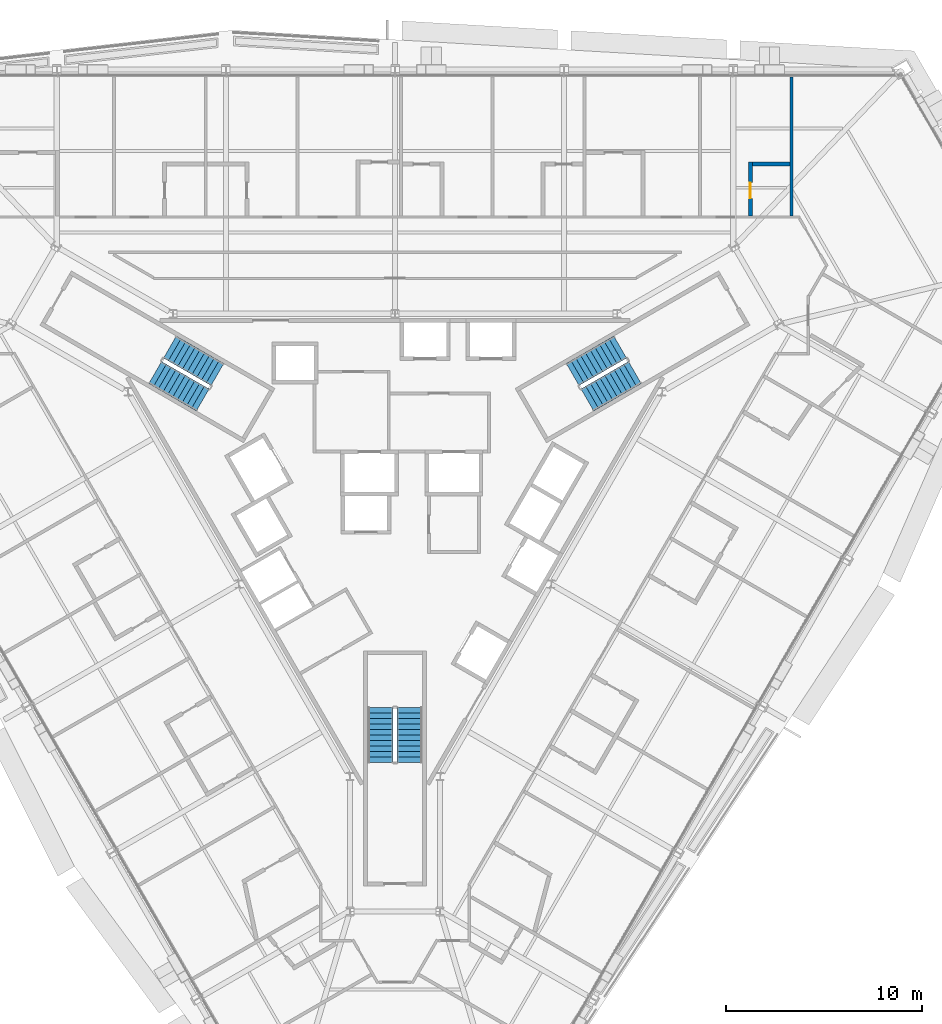
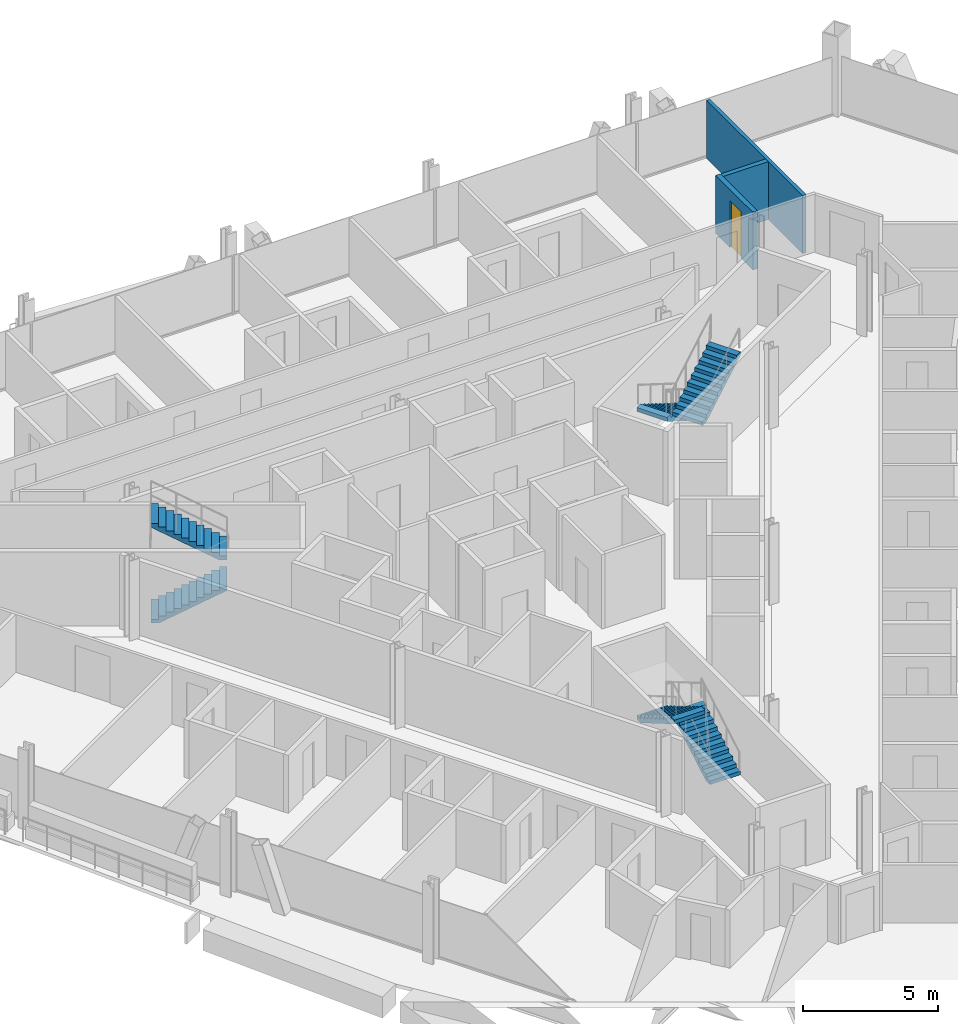
# One storey, part 16 of 18: 6 stair flights, 3 walls, 1 door, 1 opening, 3 elements without a shape of their own.
"""IFC4 building model written with IfcOpenShell, lengths in metres."""

from ifc_helpers import new_model, si_unit, direction, frame, frame_2d, origin, place, context, subcontext, project, spatial, polyline, rectangle, outline, extrude, material, layer, layer_set, type_object, element, fill, aggregate, save


model = new_model("IFC4")

# Units and contexts
model_context = context("Model", 3, precision=1e-05, world=origin(), true_north=direction((0.0, 1.0)))
body_context = subcontext(model_context, "Body", "Model", "MODEL_VIEW")
ifc_project = project(units=[si_unit("LENGTHUNIT", "METRE"), si_unit("AREAUNIT", "SQUARE_METRE"), si_unit("VOLUMEUNIT", "CUBIC_METRE"), si_unit("PLANEANGLEUNIT", "RADIAN"), si_unit("MASSUNIT", "GRAM", prefix="KILO")], contexts=[model_context])

# Site, building, storey
site_placement = place(None, origin())
site = spatial("IfcSite", under=ifc_project, at=site_placement, CompositionType="ELEMENT")
building_placement = place(site_placement, origin())
building = spatial("IfcBuilding", under=site, at=building_placement, Name="Verrane Prism Tower", CompositionType="ELEMENT")
storey_placement = place(building_placement, frame((0.0, 0.0, 80.0)))
storey = spatial("IfcBuildingStorey", under=building, at=storey_placement, Name="L18", CompositionType="ELEMENT", Elevation=80.0)

# Wall
ifc_material_1 = material(Name="Gypsum board partition", Category="other")
ifc_layer_1 = layer(ifc_material_1, 0.14990234375)
ifc_layer_set_1 = layer_set([ifc_layer_1], Name="PW-150 demising wall 1 h")
wall_type_1 = type_object("IfcWallType", Name="PW-150 demising wall 1 h", PredefinedType="PARTITIONING", material=ifc_layer_set_1)
wall_1_placement = place(storey_placement, frame((20.236083984375, 14.199462890625, 0.0), z_axis=(0.0, 0.0, 1.0), x_axis=(0.0, 1.0, 0.0)))
element("IfcWall", 1, at=wall_1_placement, inside=storey, type_object=wall_type_1, Name="Demising wall 087", PredefinedType="PARTITIONING", context=body_context, shape_type="SweptSolid", body=[
    extrude(rectangle(XDim=7.095458984375, YDim=0.14990234375, at=frame_2d((3.5478515625, 0.0))), origin(), (0.0, 0.0, 1.0), 2.613037109375),
])

# Wall, opening, door
ifc_material_2 = material(Name="Gypsum board partition", Category="other")
ifc_layer_2 = layer(ifc_material_2, 0.199951171875)
ifc_layer_set_2 = layer_set([ifc_layer_2], Name="PW-200 plumbing wall")
wall_type_2 = type_object("IfcWallType", Name="PW-200 plumbing wall", PredefinedType="PARTITIONING", material=ifc_layer_set_2)
wall_2_placement = place(storey_placement, frame((18.135986328125, 16.93701171875, 0.0), z_axis=(0.0, 0.0, 1.0), x_axis=(0.0, -1.0, 0.0)))
wall_2 = element("IfcWall", 2, at=wall_2_placement, inside=storey, type_object=wall_type_2, Name="Plumbing wall 082", PredefinedType="PARTITIONING", context=body_context, shape_type="SweptSolid", body=[
    extrude(rectangle(XDim=2.737548828125, YDim=0.199951171875, at=frame_2d((1.36865234375, 0.0))), origin(), (0.0, 0.0, 1.0), 2.613037109375),
])
opening_placement = place(wall_2_placement, frame((1.050048828125, 0.0, 0.0)))
opening = element("IfcOpeningElement", 3, at=opening_placement, cuts=wall_2, Name="Opening D17019", PredefinedType="OPENING", context=body_context, shape_type="SweptSolid", body=[
    extrude(rectangle(XDim=0.800048828125, YDim=2.10009765625, at=frame_2d((0.39990234375, 1.050048828125))), frame((0.0, 0.10986328125, 0.0), z_axis=(0.0, -1.0, 0.0), x_axis=(1.0, 0.0, 0.0)), (0.0, 0.0, 1.0), 0.219970703125),
])
ifc_material_3 = material(Name="Timber veneered door leaf", Category="wood")
door_type = type_object("IfcDoorType", Name="DR-800x2100 single leaf bath", OperationType="NOTDEFINED", PredefinedType="DOOR", material=ifc_material_3)
door_placement = place(opening_placement, origin())
door = element("IfcDoor", 4, at=door_placement, inside=storey, type_object=door_type, Name="En-Suite door", OperationType="SINGLE_SWING_RIGHT", OverallHeight=2.10009765625, OverallWidth=0.800048828125, PredefinedType="DOOR", context=body_context, shape_type="SweptSolid", body=[
    extrude(rectangle(XDim=0.800048828125, YDim=2.10009765625, at=frame_2d((0.39990234375, 1.050048828125))), frame((0.0, 0.02490234375, 0.0), z_axis=(0.0, -1.0, 0.0), x_axis=(1.0, 0.0, 0.0)), (0.0, 0.0, 1.0), 0.050048828125),
])
fill(opening, door)

# Wall
wall_3_placement = place(storey_placement, frame((18.236083984375, 16.8369140625, 0.0), z_axis=(0.0, 0.0, 1.0), x_axis=(1.0, 0.0, 0.0)))
element("IfcWall", 5, at=wall_3_placement, inside=storey, type_object=wall_type_2, Name="Plumbing wall 083", PredefinedType="PARTITIONING", context=body_context, shape_type="SweptSolid", body=[
    extrude(rectangle(XDim=1.9248046875, YDim=0.199951171875, at=frame_2d((0.96240234375, 0.0))), origin(), (0.0, 0.0, 1.0), 2.613037109375),
])

# Stair, stair flights
ifc_material_4 = material(Name="Concrete C40/50", Category="concrete")
stair_type = type_object("IfcStairType", Name="Exit stair 1300 dog-leg precast concrete C40/50", PredefinedType="HALF_TURN_STAIR", material=ifc_material_4)
stair_1_placement = place(storey_placement, origin())
stair_1 = element("IfcStair", 6, at=stair_1_placement, inside=storey, type_object=stair_type, Name="Stair 1 L18", PredefinedType="HALF_TURN_STAIR")
ifc_material_5 = material(Name="Concrete C40/50", Category="concrete")
stair_flight_type = type_object("IfcStairFlightType", Name="Stair flight 1300 precast concrete C40/50", PredefinedType="STRAIGHT", material=ifc_material_5)
stair_flight_1_placement = place(storey_placement, frame((11.489501953125, 7.49951171875, 0.0), z_axis=(0.0, 0.0, 1.0), x_axis=(-0.866025403784, -0.5, 0.0)))
stair_flight_1 = element("IfcStairFlight", 7, at=stair_flight_1_placement, type_object=stair_flight_type, Name="Stair 1 flight 1", NumberOfRisers=11, NumberOfTreads=10, PredefinedType="STRAIGHT", RiserHeight=0.163636364, TreadLength=0.28, context=body_context, shape_type="SweptSolid", body=[
    extrude(outline(polyline([(0.0, 0.0), (0.0, 0.16357421875), (0.280029296875, 0.16357421875), (0.280029296875, 0.327392578125), (0.56005859375, 0.327392578125), (0.56005859375, 0.490966796875), (0.840087890625, 0.490966796875), (0.840087890625, 0.654541015625), (1.1201171875, 0.654541015625), (1.1201171875, 0.818115234375), (1.39990234375, 0.818115234375), (1.39990234375, 0.98193359375), (1.679931640625, 0.98193359375), (1.679931640625, 1.1455078125), (1.9599609375, 1.1455078125), (1.9599609375, 1.30908203125), (2.239990234375, 1.30908203125), (2.239990234375, 1.47265625), (2.52001953125, 1.47265625), (2.52001953125, 1.636474609375), (2.800048828125, 1.636474609375), (2.800048828125, 1.800048828125), (2.800048828125, 1.462646484375), (0.297119140625, 0.0), (0.0, 0.0)])), frame((0.0, 0.64990234375, 0.0), z_axis=(0.0, -1.0, 0.0), x_axis=(1.0, 0.0, 0.0)), (0.0, 0.0, 1.0), 1.300048828125),
])
stair_flight_2_placement = place(storey_placement, frame((9.814697265625, 4.800537109375, 1.800048828125), z_axis=(0.0, 0.0, 1.0), x_axis=(0.866025403784, 0.5, 0.0)))
stair_flight_2 = element("IfcStairFlight", 8, at=stair_flight_2_placement, type_object=stair_flight_type, Name="Stair 1 flight 2", NumberOfRisers=11, NumberOfTreads=10, PredefinedType="STRAIGHT", RiserHeight=0.163636364, TreadLength=0.28, context=body_context, shape_type="SweptSolid", body=[
    extrude(outline(polyline([(0.0, 0.0), (0.0, 0.16357421875), (0.280029296875, 0.16357421875), (0.280029296875, 0.327392578125), (0.56005859375, 0.327392578125), (0.56005859375, 0.490966796875), (0.840087890625, 0.490966796875), (0.840087890625, 0.654541015625), (1.1201171875, 0.654541015625), (1.1201171875, 0.818115234375), (1.39990234375, 0.818115234375), (1.39990234375, 0.98193359375), (1.679931640625, 0.98193359375), (1.679931640625, 1.1455078125), (1.9599609375, 1.1455078125), (1.9599609375, 1.30908203125), (2.239990234375, 1.30908203125), (2.239990234375, 1.47265625), (2.52001953125, 1.47265625), (2.52001953125, 1.636474609375), (2.800048828125, 1.636474609375), (2.800048828125, 1.800048828125), (2.800048828125, 1.462646484375), (0.297119140625, 0.0), (0.0, 0.0)])), frame((0.0, 0.64990234375, 0.0), z_axis=(0.0, -1.0, 0.0), x_axis=(1.0, 0.0, 0.0)), (0.0, 0.0, 1.0), 1.300048828125),
])
aggregate(stair_1, [stair_flight_1, stair_flight_2])

stair_2_placement = place(storey_placement, origin())
stair_2 = element("IfcStair", 9, at=stair_2_placement, inside=storey, type_object=stair_type, Name="Stair 2 L18", PredefinedType="HALF_TURN_STAIR")
stair_flight_3_placement = place(storey_placement, frame((-12.239501953125, 6.200439453125, 0.0), z_axis=(0.0, 0.0, 1.0), x_axis=(0.866025403784, -0.5, 0.0)))
stair_flight_3 = element("IfcStairFlight", 10, at=stair_flight_3_placement, type_object=stair_flight_type, Name="Stair 2 flight 1", NumberOfRisers=11, NumberOfTreads=10, PredefinedType="STRAIGHT", RiserHeight=0.163636364, TreadLength=0.28, context=body_context, shape_type="SweptSolid", body=[
    extrude(outline(polyline([(0.0, 0.0), (0.0, 0.16357421875), (0.280029296875, 0.16357421875), (0.280029296875, 0.327392578125), (0.56005859375, 0.327392578125), (0.56005859375, 0.490966796875), (0.840087890625, 0.490966796875), (0.840087890625, 0.654541015625), (1.1201171875, 0.654541015625), (1.1201171875, 0.818115234375), (1.39990234375, 0.818115234375), (1.39990234375, 0.98193359375), (1.679931640625, 0.98193359375), (1.679931640625, 1.1455078125), (1.9599609375, 1.1455078125), (1.9599609375, 1.30908203125), (2.239990234375, 1.30908203125), (2.239990234375, 1.47265625), (2.52001953125, 1.47265625), (2.52001953125, 1.636474609375), (2.800048828125, 1.636474609375), (2.800048828125, 1.800048828125), (2.800048828125, 1.462646484375), (0.297119140625, 0.0), (0.0, 0.0)])), frame((0.0, 0.64990234375, 0.0), z_axis=(0.0, -1.0, 0.0), x_axis=(1.0, 0.0, 0.0)), (0.0, 0.0, 1.0), 1.300048828125),
])
stair_flight_4_placement = place(storey_placement, frame((-9.064697265625, 6.099609375, 1.800048828125), z_axis=(0.0, 0.0, 1.0), x_axis=(-0.866025403784, 0.5, 0.0)))
stair_flight_4 = element("IfcStairFlight", 11, at=stair_flight_4_placement, type_object=stair_flight_type, Name="Stair 2 flight 2", NumberOfRisers=11, NumberOfTreads=10, PredefinedType="STRAIGHT", RiserHeight=0.163636364, TreadLength=0.28, context=body_context, shape_type="SweptSolid", body=[
    extrude(outline(polyline([(0.0, 0.0), (0.0, 0.16357421875), (0.280029296875, 0.16357421875), (0.280029296875, 0.327392578125), (0.56005859375, 0.327392578125), (0.56005859375, 0.490966796875), (0.840087890625, 0.490966796875), (0.840087890625, 0.654541015625), (1.1201171875, 0.654541015625), (1.1201171875, 0.818115234375), (1.39990234375, 0.818115234375), (1.39990234375, 0.98193359375), (1.679931640625, 0.98193359375), (1.679931640625, 1.1455078125), (1.9599609375, 1.1455078125), (1.9599609375, 1.30908203125), (2.239990234375, 1.30908203125), (2.239990234375, 1.47265625), (2.52001953125, 1.47265625), (2.52001953125, 1.636474609375), (2.800048828125, 1.636474609375), (2.800048828125, 1.800048828125), (2.800048828125, 1.462646484375), (0.297119140625, 0.0), (0.0, 0.0)])), frame((0.0, 0.64990234375, 0.0), z_axis=(0.0, -1.0, 0.0), x_axis=(1.0, 0.0, 0.0)), (0.0, 0.0, 1.0), 1.300048828125),
])
aggregate(stair_2, [stair_flight_3, stair_flight_4])

stair_3_placement = place(storey_placement, origin())
stair_3 = element("IfcStair", 12, at=stair_3_placement, inside=storey, type_object=stair_type, Name="Stair 3 L18", PredefinedType="HALF_TURN_STAIR")
stair_flight_5_placement = place(storey_placement, frame((0.75, -13.699951171875, 0.0), z_axis=(0.0, 0.0, 1.0), x_axis=(0.0, 1.0, 0.0)))
stair_flight_5 = element("IfcStairFlight", 13, at=stair_flight_5_placement, type_object=stair_flight_type, Name="Stair 3 flight 1", NumberOfRisers=11, NumberOfTreads=10, PredefinedType="STRAIGHT", RiserHeight=0.163636364, TreadLength=0.28, context=body_context, shape_type="SweptSolid", body=[
    extrude(outline(polyline([(0.0, 0.0), (0.0, 0.16357421875), (0.280029296875, 0.16357421875), (0.280029296875, 0.327392578125), (0.56005859375, 0.327392578125), (0.56005859375, 0.490966796875), (0.840087890625, 0.490966796875), (0.840087890625, 0.654541015625), (1.1201171875, 0.654541015625), (1.1201171875, 0.818115234375), (1.39990234375, 0.818115234375), (1.39990234375, 0.98193359375), (1.679931640625, 0.98193359375), (1.679931640625, 1.1455078125), (1.9599609375, 1.1455078125), (1.9599609375, 1.30908203125), (2.239990234375, 1.30908203125), (2.239990234375, 1.47265625), (2.52001953125, 1.47265625), (2.52001953125, 1.636474609375), (2.800048828125, 1.636474609375), (2.800048828125, 1.800048828125), (2.800048828125, 1.462646484375), (0.297119140625, 0.0), (0.0, 0.0)])), frame((0.0, 0.64990234375, 0.0), z_axis=(0.0, -1.0, 0.0), x_axis=(1.0, 0.0, 0.0)), (0.0, 0.0, 1.0), 1.300048828125),
])
stair_flight_6_placement = place(storey_placement, frame((-0.75, -10.89990234375, 1.800048828125), z_axis=(0.0, 0.0, 1.0), x_axis=(0.0, -1.0, 0.0)))
stair_flight_6 = element("IfcStairFlight", 14, at=stair_flight_6_placement, type_object=stair_flight_type, Name="Stair 3 flight 2", NumberOfRisers=11, NumberOfTreads=10, PredefinedType="STRAIGHT", RiserHeight=0.163636364, TreadLength=0.28, context=body_context, shape_type="SweptSolid", body=[
    extrude(outline(polyline([(0.0, 0.0), (0.0, 0.16357421875), (0.280029296875, 0.16357421875), (0.280029296875, 0.327392578125), (0.56005859375, 0.327392578125), (0.56005859375, 0.490966796875), (0.840087890625, 0.490966796875), (0.840087890625, 0.654541015625), (1.1201171875, 0.654541015625), (1.1201171875, 0.818115234375), (1.39990234375, 0.818115234375), (1.39990234375, 0.98193359375), (1.679931640625, 0.98193359375), (1.679931640625, 1.1455078125), (1.9599609375, 1.1455078125), (1.9599609375, 1.30908203125), (2.239990234375, 1.30908203125), (2.239990234375, 1.47265625), (2.52001953125, 1.47265625), (2.52001953125, 1.636474609375), (2.800048828125, 1.636474609375), (2.800048828125, 1.800048828125), (2.800048828125, 1.462646484375), (0.297119140625, 0.0), (0.0, 0.0)])), frame((0.0, 0.64990234375, 0.0), z_axis=(0.0, -1.0, 0.0), x_axis=(1.0, 0.0, 0.0)), (0.0, 0.0, 1.0), 1.300048828125),
])
aggregate(stair_3, [stair_flight_5, stair_flight_6])

save(model, "model.ifc")
